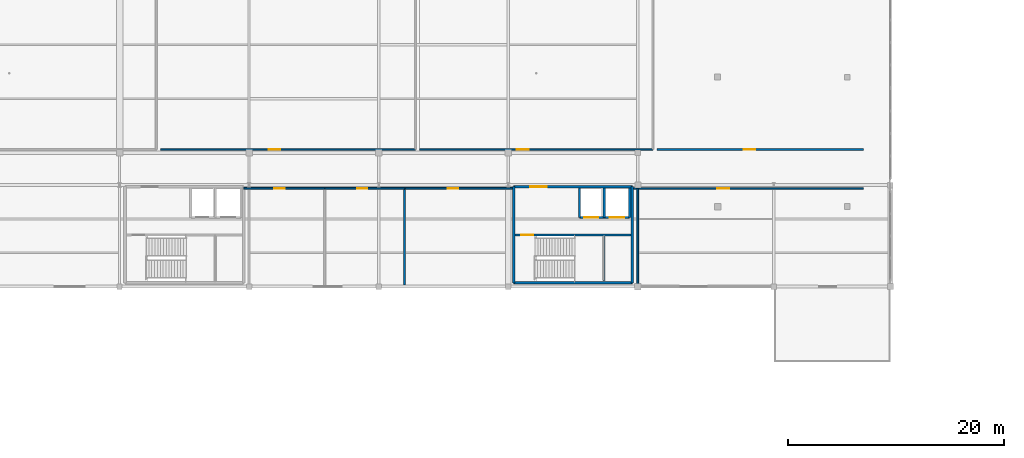
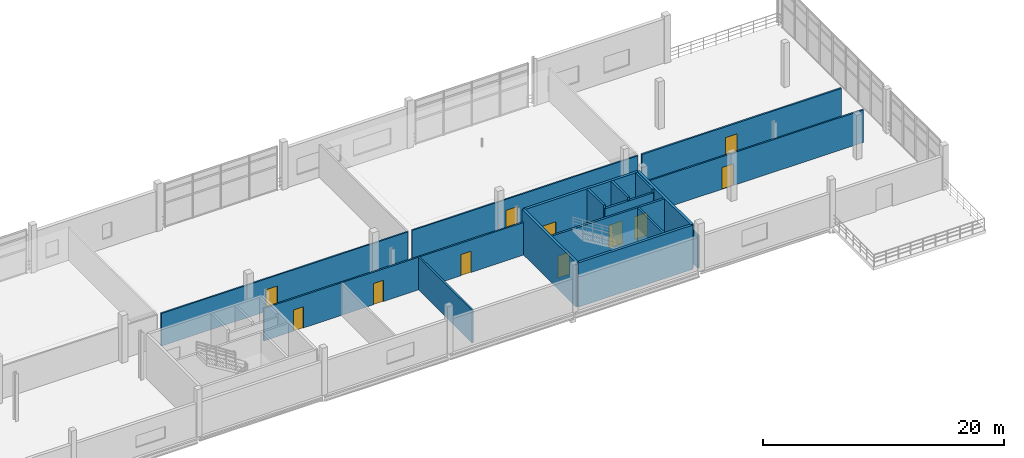
# One storey, part 39 of 52: 19 walls, 11 doors, 11 openings.
"""IFC4 building model written with IfcOpenShell, lengths in metres."""

from ifc_helpers import new_model, si_unit, direction, frame, frame_2d, origin, place, context, subcontext, project, spatial, rectangle, extrude, material, layer, layer_set, type_object, element, fill, save


model = new_model("IFC4")

# Units and contexts
model_context = context("Model", 3, precision=1e-05, world=origin(), true_north=direction((0.0, 1.0)))
body_context = subcontext(model_context, "Body", "Model", "MODEL_VIEW")
ifc_project = project(units=[si_unit("LENGTHUNIT", "METRE"), si_unit("AREAUNIT", "SQUARE_METRE"), si_unit("VOLUMEUNIT", "CUBIC_METRE"), si_unit("PLANEANGLEUNIT", "RADIAN"), si_unit("MASSUNIT", "GRAM", prefix="KILO"), si_unit("THERMODYNAMICTEMPERATUREUNIT", "KELVIN"), si_unit("POWERUNIT", "WATT")], contexts=[model_context])

# Site, building, storey
site_placement = place(None, origin())
site = spatial("IfcSite", under=ifc_project, at=site_placement, CompositionType="ELEMENT")
building_placement = place(site_placement, origin())
building = spatial("IfcBuilding", under=site, at=building_placement, Name="Solmara Park Aquatics Centre", CompositionType="ELEMENT")
storey_placement = place(building_placement, frame((0.0, 0.0, 9.60009765625)))
storey = spatial("IfcBuildingStorey", under=building, at=storey_placement, Name="L02", CompositionType="ELEMENT", Elevation=9.60009765625)

# Wall, opening, door
ifc_material_1 = material(Name="Double-Stud Acoustic Gypsum Partition", Category="gypsum")
ifc_layer_1 = layer(ifc_material_1, 0.139892578125, Name="Double-Stud Acoustic Gypsum Partition")
ifc_layer_set_1 = layer_set([ifc_layer_1], Name="Double-Stud Acoustic Gypsum Partition")
wall_type_1 = type_object("IfcWallType", Name="ARC-WL-ACU140", PredefinedType="PARTITIONING", material=ifc_layer_set_1)
wall_1_placement = place(storey_placement, frame((52.39990234375, 121.300048828125, 0.0), z_axis=(0.0, 0.0, 1.0), x_axis=(1.0, 0.0, 0.0)))
wall_1 = element("IfcWall", 1, at=wall_1_placement, inside=storey, type_object=wall_type_1, Name="Interior Partition IW-L02-0114 (L02-PHY-02)", PredefinedType="PARTITIONING", context=body_context, shape_type="SweptSolid", body=[
    extrude(rectangle(XDim=23.60009765625, YDim=0.139892578125, at=frame_2d((11.800048828125, 0.0))), origin(), (0.0, 0.0, 1.0), 3.2998046875),
])
opening_1_placement = place(wall_1_placement, frame((10.0, 0.0, 0.0)))
opening_1 = element("IfcOpeningElement", 2, at=opening_1_placement, cuts=wall_1, Name="Opening D-15", PredefinedType="OPENING", context=body_context, shape_type="SweptSolid", body=[
    extrude(rectangle(XDim=1.10009765625, YDim=2.199951171875, at=frame_2d((0.550048828125, 1.10009765625))), frame((0.0, 0.079833984375, 0.0), z_axis=(0.0, -1.0, 0.0), x_axis=(1.0, 0.0, 0.0)), (0.0, 0.0, 1.0), 0.159912109375),
])
ifc_material_2 = material(Name="Moisture-Resistant HPL & Hardwood", Category="wood")
door_type_1 = type_object("IfcDoorType", Name="ARC-DR-SGL110x220", OperationType="NOTDEFINED", PredefinedType="DOOR", material=ifc_material_2)
door_1_placement = place(opening_1_placement, origin())
door_1 = element("IfcDoor", 3, at=door_1_placement, inside=storey, type_object=door_type_1, Name="Orthopaedic Consultation and Ultrasound Diagnostics Clinic Door", OperationType="SINGLE_SWING_RIGHT", OverallHeight=2.199951171875, OverallWidth=1.10009765625, PredefinedType="DOOR", context=body_context, shape_type="SweptSolid", body=[
    extrude(rectangle(XDim=1.10009765625, YDim=2.199951171875, at=frame_2d((0.550048828125, 1.10009765625))), frame((0.0, 0.02490234375, 0.0), z_axis=(0.0, -1.0, 0.0), x_axis=(1.0, 0.0, 0.0)), (0.0, 0.0, 1.0), 0.050048828125),
])
fill(opening_1, door_1)

wall_2_placement = place(storey_placement, frame((76.39990234375, 121.300048828125, 0.0), z_axis=(0.0, 0.0, 1.0), x_axis=(1.0, 0.0, 0.0)))
wall_2 = element("IfcWall", 4, at=wall_2_placement, inside=storey, type_object=wall_type_1, Name="Interior Partition IW-L02-0116 (L02-BIO-01)", PredefinedType="PARTITIONING", context=body_context, shape_type="SweptSolid", body=[
    extrude(rectangle(XDim=21.60009765625, YDim=0.139892578125, at=frame_2d((10.800048828125, 0.0))), origin(), (0.0, 0.0, 1.0), 3.2998046875),
])
opening_2_placement = place(wall_2_placement, frame((9.0, 0.0, 0.0)))
opening_2 = element("IfcOpeningElement", 5, at=opening_2_placement, cuts=wall_2, Name="Opening D-15", PredefinedType="OPENING", context=body_context, shape_type="SweptSolid", body=[
    extrude(rectangle(XDim=1.10009765625, YDim=2.199951171875, at=frame_2d((0.550048828125, 1.10009765625))), frame((0.0, 0.079833984375, 0.0), z_axis=(0.0, -1.0, 0.0), x_axis=(1.0, 0.0, 0.0)), (0.0, 0.0, 1.0), 0.159912109375),
])
door_2_placement = place(opening_2_placement, origin())
door_2 = element("IfcDoor", 6, at=door_2_placement, inside=storey, type_object=door_type_1, Name="3D Swim Stroke Biomechanics and Motion-Capture Lab Door", OperationType="SINGLE_SWING_LEFT", OverallHeight=2.199951171875, OverallWidth=1.10009765625, PredefinedType="DOOR", context=body_context, shape_type="SweptSolid", body=[
    extrude(rectangle(XDim=1.10009765625, YDim=2.199951171875, at=frame_2d((0.550048828125, 1.10009765625))), frame((0.0, 0.02490234375, 0.0), z_axis=(0.0, -1.0, 0.0), x_axis=(1.0, 0.0, 0.0)), (0.0, 0.0, 1.0), 0.050048828125),
])
fill(opening_2, door_2)

# Wall
ifc_material_3 = material(Name="Concrete C40/50", Category="concrete")
ifc_layer_2 = layer(ifc_material_3, 0.25, Name="Concrete C40/50")
ifc_layer_set_2 = layer_set([ifc_layer_2], Name="Concrete C40/50")
wall_type_2 = type_object("IfcWallType", Name="ARC-WL-CORE250", PredefinedType="SHEAR", material=ifc_layer_set_2)
wall_3_placement = place(storey_placement, frame((85.10009765625, 108.949951171875, 0.0), z_axis=(0.0, 0.0, 1.0), x_axis=(1.0, 0.0, 0.0)))
element("IfcWall", 7, at=wall_3_placement, inside=storey, type_object=wall_type_2, Name="CORE-2 Core Wall S L02", PredefinedType="SHEAR", context=body_context, shape_type="SweptSolid", body=[
    extrude(rectangle(XDim=11.0, YDim=0.25, at=frame_2d((5.5, 0.0))), origin(), (0.0, 0.0, 1.0), 4.47998046875),
])

# Wall, opening, door
wall_4_placement = place(storey_placement, frame((85.10009765625, 117.85009765625, 0.0), z_axis=(0.0, 0.0, 1.0), x_axis=(1.0, 0.0, 0.0)))
wall_4 = element("IfcWall", 8, at=wall_4_placement, inside=storey, type_object=wall_type_2, Name="CORE-2 Core Wall N L02", PredefinedType="SHEAR", context=body_context, shape_type="SweptSolid", body=[
    extrude(rectangle(XDim=11.0, YDim=0.25, at=frame_2d((5.5, 0.0))), origin(), (0.0, 0.0, 1.0), 4.47998046875),
])
opening_3_placement = place(wall_4_placement, frame((1.550048828125, 0.0, 0.0)))
opening_3 = element("IfcOpeningElement", 9, at=opening_3_placement, cuts=wall_4, Name="Opening D-12", PredefinedType="OPENING", context=body_context, shape_type="SweptSolid", body=[
    extrude(rectangle(XDim=1.5, YDim=2.199951171875, at=frame_2d((0.75, 1.10009765625))), frame((0.0, 0.135009765625, 0.0), z_axis=(0.0, -1.0, 0.0), x_axis=(1.0, 0.0, 0.0)), (0.0, 0.0, 1.0), 0.27001953125),
])
door_type_2 = type_object("IfcDoorType", Name="ARC-DR-FD150x220", OperationType="DOUBLE_DOOR_SINGLE_SWING", PredefinedType="DOOR", material=ifc_material_2)
door_3_placement = place(opening_3_placement, origin())
door_3 = element("IfcDoor", 10, at=door_3_placement, inside=storey, type_object=door_type_2, Name="CORE-2 Lobby Entry Fire Door L02", OperationType="DOUBLE_DOOR_SINGLE_SWING", OverallHeight=2.199951171875, OverallWidth=1.5, PredefinedType="DOOR", context=body_context, shape_type="SweptSolid", body=[
    extrude(rectangle(XDim=1.5, YDim=2.199951171875, at=frame_2d((0.75, 1.10009765625))), frame((0.0, 0.02490234375, 0.0), z_axis=(0.0, -1.0, 0.0), x_axis=(1.0, 0.0, 0.0)), (0.0, 0.0, 1.0), 0.050048828125),
])
fill(opening_3, door_3)

# Walls
for number, where, z_axis, x_axis, name in (
    (11, (85.10009765625, 108.949951171875, 0.0), (0.0, 0.0, 1.0), (0.0, 1.0, 0.0), "CORE-2 Core Wall W L02"),
    (12, (96.10009765625, 108.949951171875, 0.0), (0.0, 0.0, 1.0), (0.0, 1.0, 0.0), "CORE-2 Core Wall E L02"),
):
    element("IfcWall", number, at=place(storey_placement, frame(where, z_axis=z_axis, x_axis=x_axis)), inside=storey, type_object=wall_type_2, Name=name, PredefinedType="SHEAR", context=body_context, shape_type="SweptSolid", body=[
        extrude(rectangle(XDim=8.900146484375, YDim=0.25, at=frame_2d((4.4501953125, 0.0))), origin(), (0.0, 0.0, 1.0), 4.47998046875),
    ])

# Wall, openings, doors
ifc_material_4 = material(Name="Concrete C25/30 Autoclaved Aerated Fire Blockwork", Category="masonry")
ifc_layer_3 = layer(ifc_material_4, 0.199951171875, Name="Concrete C25/30 Autoclaved Aerated Fire Blockwork")
ifc_layer_set_3 = layer_set([ifc_layer_3], Name="Concrete C25/30 Autoclaved Aerated Fire Blockwork")
wall_type_3 = type_object("IfcWallType", Name="ARC-WL-FIRE200", PredefinedType="SOLIDWALL", material=ifc_layer_set_3)
wall_5_placement = place(storey_placement, frame((91.199951171875, 115.0, 0.0), z_axis=(0.0, 0.0, 1.0), x_axis=(1.0, 0.0, 0.0)))
wall_5 = element("IfcWall", 13, at=wall_5_placement, inside=storey, type_object=wall_type_3, Name="CORE-2 Lift Shaft Front Wall L02", PredefinedType="SOLIDWALL", context=body_context, shape_type="SweptSolid", body=[
    extrude(rectangle(XDim=4.650146484375, YDim=0.199951171875, at=frame_2d((2.3251953125, 0.0))), origin(), (0.0, 0.0, 1.0), 4.14990234375),
])
opening_4_placement = place(wall_5_placement, frame((2.824951171875, 0.0, 0.0)))
opening_4 = element("IfcOpeningElement", 14, at=opening_4_placement, cuts=wall_5, Name="Opening D-10", PredefinedType="OPENING", context=body_context, shape_type="SweptSolid", body=[
    extrude(rectangle(XDim=1.300048828125, YDim=2.300048828125, at=frame_2d((0.64990234375, 1.14990234375))), frame((0.0, 0.10986328125, 0.0), z_axis=(0.0, -1.0, 0.0), x_axis=(1.0, 0.0, 0.0)), (0.0, 0.0, 1.0), 0.219970703125),
])
opening_5_placement = place(wall_5_placement, frame((0.425048828125, 0.0, 0.0)))
opening_5 = element("IfcOpeningElement", 15, at=opening_5_placement, cuts=wall_5, Name="Opening D-10", PredefinedType="OPENING", context=body_context, shape_type="SweptSolid", body=[
    extrude(rectangle(XDim=1.300048828125, YDim=2.300048828125, at=frame_2d((0.64990234375, 1.14990234375))), frame((0.0, 0.10986328125, 0.0), z_axis=(0.0, -1.0, 0.0), x_axis=(1.0, 0.0, 0.0)), (0.0, 0.0, 1.0), 0.219970703125),
])
ifc_material_5 = material(Name="Stainless Steel", Category="steel")
door_type_3 = type_object("IfcDoorType", Name="ARC-DR-LD130x230", OperationType="DOUBLE_DOOR_SLIDING", PredefinedType="DOOR", material=ifc_material_5)
door_4_placement = place(opening_4_placement, frame((1.300048828125, 0.0, 0.0), z_axis=(0.0, 0.0, 1.0), x_axis=(-1.0, 0.0, 0.0)))
door_4 = element("IfcDoor", 16, at=door_4_placement, inside=storey, type_object=door_type_3, Name="LF-03 Lift Landing Door L02", OperationType="DOUBLE_DOOR_SLIDING", OverallHeight=2.300048828125, OverallWidth=1.300048828125, PredefinedType="DOOR", context=body_context, shape_type="SweptSolid", body=[
    extrude(rectangle(XDim=1.300048828125, YDim=2.300048828125, at=frame_2d((0.64990234375, 1.14990234375))), frame((0.0, 0.02490234375, 0.0), z_axis=(0.0, -1.0, 0.0), x_axis=(1.0, 0.0, 0.0)), (0.0, 0.0, 1.0), 0.050048828125),
])
fill(opening_4, door_4)
door_5_placement = place(opening_5_placement, frame((1.300048828125, 0.0, 0.0), z_axis=(0.0, 0.0, 1.0), x_axis=(-1.0, 0.0, 0.0)))
door_5 = element("IfcDoor", 17, at=door_5_placement, inside=storey, type_object=door_type_3, Name="LF-04 Lift Landing Door L02", OperationType="DOUBLE_DOOR_SLIDING", OverallHeight=2.300048828125, OverallWidth=1.300048828125, PredefinedType="DOOR", context=body_context, shape_type="SweptSolid", body=[
    extrude(rectangle(XDim=1.300048828125, YDim=2.300048828125, at=frame_2d((0.64990234375, 1.14990234375))), frame((0.0, 0.02490234375, 0.0), z_axis=(0.0, -1.0, 0.0), x_axis=(1.0, 0.0, 0.0)), (0.0, 0.0, 1.0), 0.050048828125),
])
fill(opening_5, door_5)

# Walls
for number, where, z_axis, x_axis, name in (
    (18, (93.5, 115.0, 0.0), (0.0, 0.0, 1.0), (0.0, 1.0, 0.0), "LF-03 Lift Shaft W Wall L02"),
    (19, (95.85009765625, 115.0, 0.0), (0.0, 0.0, 1.0), (0.0, 1.0, 0.0), "LF-03 Lift Shaft E Wall L02"),
    (20, (91.199951171875, 115.0, 0.0), (0.0, 0.0, 1.0), (0.0, 1.0, 0.0), "LF-04 Lift Shaft W Wall L02"),
):
    element("IfcWall", number, at=place(storey_placement, frame(where, z_axis=z_axis, x_axis=x_axis)), inside=storey, type_object=wall_type_3, Name=name, PredefinedType="SOLIDWALL", context=body_context, shape_type="SweptSolid", body=[
        extrude(rectangle(XDim=2.75, YDim=0.199951171875, at=frame_2d((1.375, 0.0))), origin(), (0.0, 0.0, 1.0), 4.47998046875),
    ])
ifc_material_6 = material(Name="Cement-Rendered Masonry Partition", Category="masonry")
ifc_layer_4 = layer(ifc_material_6, 0.14990234375, Name="Cement-Rendered Masonry Partition")
ifc_layer_set_4 = layer_set([ifc_layer_4], Name="Cement-Rendered Masonry Partition")
wall_type_4 = type_object("IfcWallType", Name="ARC-WL-MAS150", PredefinedType="PARTITIONING", material=ifc_layer_set_4)
wall_6_placement = place(storey_placement, frame((96.60009765625, 108.75, 0.0), z_axis=(0.0, 0.0, 1.0), x_axis=(0.0, 1.0, 0.0)))
element("IfcWall", 21, at=wall_6_placement, inside=storey, type_object=wall_type_4, Name="Interior Partition IW-L02-0125 (L02-MED-STR)", PredefinedType="PARTITIONING", context=body_context, shape_type="SweptSolid", body=[
    extrude(rectangle(XDim=8.949951171875, YDim=0.14990234375, at=frame_2d((4.47509765625, 0.0))), origin(), (0.0, 0.0, 1.0), 3.2998046875),
])

# Wall, opening, door
wall_7_placement = place(storey_placement, frame((96.110107421875, 117.699951171875, 0.0), z_axis=(0.0, 0.0, 1.0), x_axis=(1.0, 0.0, 0.0)))
wall_7 = element("IfcWall", 22, at=wall_7_placement, inside=storey, type_object=wall_type_4, Name="Interior Partition IW-L02-0126 (L02-MED-STR)", PredefinedType="PARTITIONING", context=body_context, shape_type="SweptSolid", body=[
    extrude(rectangle(XDim=21.389892578125, YDim=0.14990234375, at=frame_2d((10.69482421875, 0.0))), origin(), (0.0, 0.0, 1.0), 3.2998046875),
])
opening_6_placement = place(wall_7_placement, frame((7.840087890625, 0.0, 0.0)))
opening_6 = element("IfcOpeningElement", 23, at=opening_6_placement, cuts=wall_7, Name="Opening D-15", PredefinedType="OPENING", context=body_context, shape_type="SweptSolid", body=[
    extrude(rectangle(XDim=1.10009765625, YDim=2.199951171875, at=frame_2d((0.550048828125, 1.10009765625))), frame((0.0, 0.0849609375, 0.0), z_axis=(0.0, -1.0, 0.0), x_axis=(1.0, 0.0, 0.0)), (0.0, 0.0, 1.0), 0.169921875),
])
door_6_placement = place(opening_6_placement, origin())
door_6 = element("IfcDoor", 24, at=door_6_placement, inside=storey, type_object=door_type_1, Name="Cryotherapy Chamber and Rehabilitation Hydro-Pool Door", OperationType="SINGLE_SWING_RIGHT", OverallHeight=2.199951171875, OverallWidth=1.10009765625, PredefinedType="DOOR", context=body_context, shape_type="SweptSolid", body=[
    extrude(rectangle(XDim=1.10009765625, YDim=2.199951171875, at=frame_2d((0.550048828125, 1.10009765625))), frame((0.0, 0.02490234375, 0.0), z_axis=(0.0, -1.0, 0.0), x_axis=(1.0, 0.0, 0.0)), (0.0, 0.0, 1.0), 0.050048828125),
])
fill(opening_6, door_6)

ifc_material_7 = material(Name="Waterproof Tile-Faced Wet-Area Plumbing Wall", Category="concrete")
ifc_layer_5 = layer(ifc_material_7, 0.159912109375, Name="Waterproof Tile-Faced Wet-Area Plumbing Wall")
ifc_layer_set_5 = layer_set([ifc_layer_5], Name="Waterproof Tile-Faced Wet-Area Plumbing Wall")
wall_type_5 = type_object("IfcWallType", Name="ARC-WL-WET160", PredefinedType="PLUMBINGWALL", material=ifc_layer_set_5)
wall_8_placement = place(storey_placement, frame((98.39990234375, 121.300048828125, 0.0), z_axis=(0.0, 0.0, 1.0), x_axis=(1.0, 0.0, 0.0)))
wall_8 = element("IfcWall", 25, at=wall_8_placement, inside=storey, type_object=wall_type_5, Name="Interior Partition IW-L02-0118 (L02-NUT-01)", PredefinedType="PLUMBINGWALL", context=body_context, shape_type="SweptSolid", body=[
    extrude(rectangle(XDim=19.10009765625, YDim=0.159912109375, at=frame_2d((9.550048828125, 0.0))), origin(), (0.0, 0.0, 1.0), 3.2998046875),
])
opening_7_placement = place(wall_8_placement, frame((8.0, 0.0, 0.0)))
opening_7 = element("IfcOpeningElement", 26, at=opening_7_placement, cuts=wall_8, Name="Opening D-15", PredefinedType="OPENING", context=body_context, shape_type="SweptSolid", body=[
    extrude(rectangle(XDim=1.10009765625, YDim=2.199951171875, at=frame_2d((0.550048828125, 1.10009765625))), frame((0.0, 0.08984375, 0.0), z_axis=(0.0, -1.0, 0.0), x_axis=(1.0, 0.0, 0.0)), (0.0, 0.0, 1.0), 0.179931640625),
])
door_7_placement = place(opening_7_placement, origin())
door_7 = element("IfcDoor", 27, at=door_7_placement, inside=storey, type_object=door_type_1, Name="Athlete Sports Nutrition Kitchen and Recovery Lounge Door", OperationType="SINGLE_SWING_RIGHT", OverallHeight=2.199951171875, OverallWidth=1.10009765625, PredefinedType="DOOR", context=body_context, shape_type="SweptSolid", body=[
    extrude(rectangle(XDim=1.10009765625, YDim=2.199951171875, at=frame_2d((0.550048828125, 1.10009765625))), frame((0.0, 0.02490234375, 0.0), z_axis=(0.0, -1.0, 0.0), x_axis=(1.0, 0.0, 0.0)), (0.0, 0.0, 1.0), 0.050048828125),
])
fill(opening_7, door_7)

wall_9_placement = place(storey_placement, frame((60.110107421875, 117.699951171875, 0.0), z_axis=(0.0, 0.0, 1.0), x_axis=(1.0, 0.0, 0.0)))
wall_9 = element("IfcWall", 28, at=wall_9_placement, inside=storey, type_object=wall_type_5, Name="Interior Partition IW-L02-0121 (L02-WCM-01)", PredefinedType="PLUMBINGWALL", context=body_context, shape_type="SweptSolid", body=[
    extrude(rectangle(XDim=7.489990234375, YDim=0.159912109375, at=frame_2d((3.7451171875, 0.0))), origin(), (0.0, 0.0, 1.0), 3.2998046875),
])
opening_8_placement = place(wall_9_placement, frame((2.840087890625, 0.0, 0.0)))
opening_8 = element("IfcOpeningElement", 29, at=opening_8_placement, cuts=wall_9, Name="Opening D-18", PredefinedType="OPENING", context=body_context, shape_type="SweptSolid", body=[
    extrude(rectangle(XDim=0.949951171875, YDim=2.14990234375, at=frame_2d((0.47509765625, 1.074951171875))), frame((0.0, 0.08984375, 0.0), z_axis=(0.0, -1.0, 0.0), x_axis=(1.0, 0.0, 0.0)), (0.0, 0.0, 1.0), 0.179931640625),
])
door_type_4 = type_object("IfcDoorType", Name="ARC-DR-WC95x220", OperationType="NOTDEFINED", PredefinedType="DOOR", material=ifc_material_2)
door_8_placement = place(opening_8_placement, origin())
door_8 = element("IfcDoor", 30, at=door_8_placement, inside=storey, type_object=door_type_4, Name="Clinic Male Toilet Door", OperationType="SINGLE_SWING_LEFT", OverallHeight=2.14990234375, OverallWidth=0.949951171875, PredefinedType="DOOR", context=body_context, shape_type="SweptSolid", body=[
    extrude(rectangle(XDim=0.949951171875, YDim=2.14990234375, at=frame_2d((0.47509765625, 1.074951171875))), frame((0.0, 0.02490234375, 0.0), z_axis=(0.0, -1.0, 0.0), x_axis=(1.0, 0.0, 0.0)), (0.0, 0.0, 1.0), 0.050048828125),
])
fill(opening_8, door_8)

# Wall
wall_10_placement = place(storey_placement, frame((75.0, 108.75, 0.0), z_axis=(0.0, 0.0, 1.0), x_axis=(0.0, 1.0, 0.0)))
element("IfcWall", 31, at=wall_10_placement, inside=storey, type_object=wall_type_5, Name="Interior Partition IW-L02-0122 (L02-WCF-01)", PredefinedType="PLUMBINGWALL", context=body_context, shape_type="SweptSolid", body=[
    extrude(rectangle(XDim=8.949951171875, YDim=0.159912109375, at=frame_2d((4.47509765625, 0.0))), origin(), (0.0, 0.0, 1.0), 3.2998046875),
])

# Wall, opening, door
wall_11_placement = place(storey_placement, frame((67.610107421875, 117.699951171875, 0.0), z_axis=(0.0, 0.0, 1.0), x_axis=(1.0, 0.0, 0.0)))
wall_11 = element("IfcWall", 32, at=wall_11_placement, inside=storey, type_object=wall_type_5, Name="Interior Partition IW-L02-0123 (L02-WCF-01)", PredefinedType="PLUMBINGWALL", context=body_context, shape_type="SweptSolid", body=[
    extrude(rectangle(XDim=7.389892578125, YDim=0.159912109375, at=frame_2d((3.69482421875, 0.0))), origin(), (0.0, 0.0, 1.0), 3.2998046875),
])
opening_9_placement = place(wall_11_placement, frame((2.989990234375, 0.0, 0.0)))
opening_9 = element("IfcOpeningElement", 33, at=opening_9_placement, cuts=wall_11, Name="Opening D-18", PredefinedType="OPENING", context=body_context, shape_type="SweptSolid", body=[
    extrude(rectangle(XDim=0.949951171875, YDim=2.14990234375, at=frame_2d((0.47509765625, 1.074951171875))), frame((0.0, 0.08984375, 0.0), z_axis=(0.0, -1.0, 0.0), x_axis=(1.0, 0.0, 0.0)), (0.0, 0.0, 1.0), 0.179931640625),
])
door_9_placement = place(opening_9_placement, origin())
door_9 = element("IfcDoor", 34, at=door_9_placement, inside=storey, type_object=door_type_4, Name="Clinic Female Toilet Door", OperationType="SINGLE_SWING_RIGHT", OverallHeight=2.14990234375, OverallWidth=0.949951171875, PredefinedType="DOOR", context=body_context, shape_type="SweptSolid", body=[
    extrude(rectangle(XDim=0.949951171875, YDim=2.14990234375, at=frame_2d((0.47509765625, 1.074951171875))), frame((0.0, 0.02490234375, 0.0), z_axis=(0.0, -1.0, 0.0), x_axis=(1.0, 0.0, 0.0)), (0.0, 0.0, 1.0), 0.050048828125),
])
fill(opening_9, door_9)

wall_12_placement = place(storey_placement, frame((75.010009765625, 117.699951171875, 0.0), z_axis=(0.0, 0.0, 1.0), x_axis=(1.0, 0.0, 0.0)))
wall_12 = element("IfcWall", 35, at=wall_12_placement, inside=storey, type_object=wall_type_5, Name="Interior Partition IW-L02-0124 (L02-WCA-01)", PredefinedType="PLUMBINGWALL", context=body_context, shape_type="SweptSolid", body=[
    extrude(rectangle(XDim=9.965087890625, YDim=0.159912109375, at=frame_2d((4.982421875, 0.0))), origin(), (0.0, 0.0, 1.0), 3.2998046875),
])
opening_10_placement = place(wall_12_placement, frame((3.989990234375, 0.0, 0.0)))
opening_10 = element("IfcOpeningElement", 36, at=opening_10_placement, cuts=wall_12, Name="Opening D-18", PredefinedType="OPENING", context=body_context, shape_type="SweptSolid", body=[
    extrude(rectangle(XDim=0.949951171875, YDim=2.14990234375, at=frame_2d((0.47509765625, 1.074951171875))), frame((0.0, 0.08984375, 0.0), z_axis=(0.0, -1.0, 0.0), x_axis=(1.0, 0.0, 0.0)), (0.0, 0.0, 1.0), 0.179931640625),
])
door_10_placement = place(opening_10_placement, origin())
door_10 = element("IfcDoor", 37, at=door_10_placement, inside=storey, type_object=door_type_4, Name="Clinic Accessible Patient WC Door", OperationType="SINGLE_SWING_LEFT", OverallHeight=2.14990234375, OverallWidth=0.949951171875, PredefinedType="DOOR", context=body_context, shape_type="SweptSolid", body=[
    extrude(rectangle(XDim=0.949951171875, YDim=2.14990234375, at=frame_2d((0.47509765625, 1.074951171875))), frame((0.0, 0.02490234375, 0.0), z_axis=(0.0, -1.0, 0.0), x_axis=(1.0, 0.0, 0.0)), (0.0, 0.0, 1.0), 0.050048828125),
])
fill(opening_10, door_10)

ifc_material_8 = material(Name="Concrete C35/45", Category="concrete")
ifc_layer_6 = layer(ifc_material_8, 0.199951171875, Name="Concrete C35/45")
ifc_layer_set_6 = layer_set([ifc_layer_6], Name="Concrete C35/45")
wall_type_6 = type_object("IfcWallType", Name="STR-WL-STAIR200", PredefinedType="SHEAR", material=ifc_layer_set_6)
wall_13_placement = place(storey_placement, frame((85.219970703125, 113.375, 0.0), z_axis=(0.0, 0.0, 1.0), x_axis=(1.0, 0.0, 0.0)))
wall_13 = element("IfcWall", 38, at=wall_13_placement, inside=storey, type_object=wall_type_6, Name="CORE-2 Stairwell Compartment Wall L02", PredefinedType="SHEAR", context=body_context, shape_type="SweptSolid", body=[
    extrude(rectangle(XDim=10.760009765625, YDim=0.199951171875, at=frame_2d((5.3798828125, 0.0))), origin(), (0.0, 0.0, 1.0), 4.47998046875),
])
opening_11_placement = place(wall_13_placement, frame((0.580078125, 0.0, 0.0)))
opening_11 = element("IfcOpeningElement", 39, at=opening_11_placement, cuts=wall_13, Name="Opening D-11", PredefinedType="OPENING", context=body_context, shape_type="SweptSolid", body=[
    extrude(rectangle(XDim=1.10009765625, YDim=2.199951171875, at=frame_2d((0.550048828125, 1.10009765625))), frame((0.0, 0.10986328125, 0.0), z_axis=(0.0, -1.0, 0.0), x_axis=(1.0, 0.0, 0.0)), (0.0, 0.0, 1.0), 0.219970703125),
])
door_type_5 = type_object("IfcDoorType", Name="ARC-DR-FD110x220", OperationType="NOTDEFINED", PredefinedType="DOOR", material=ifc_material_2)
door_11_placement = place(opening_11_placement, origin())
door_11 = element("IfcDoor", 40, at=door_11_placement, inside=storey, type_object=door_type_5, Name="ST-02 Fire Door L02", OperationType="SINGLE_SWING_RIGHT", OverallHeight=2.199951171875, OverallWidth=1.10009765625, PredefinedType="DOOR", context=body_context, shape_type="SweptSolid", body=[
    extrude(rectangle(XDim=1.10009765625, YDim=2.199951171875, at=frame_2d((0.550048828125, 1.10009765625))), frame((0.0, 0.02490234375, 0.0), z_axis=(0.0, -1.0, 0.0), x_axis=(1.0, 0.0, 0.0)), (0.0, 0.0, 1.0), 0.050048828125),
])
fill(opening_11, door_11)

# Wall
wall_14_placement = place(storey_placement, frame((93.4599609375, 109.070068359375, 0.0), z_axis=(0.0, 0.0, 1.0), x_axis=(0.0, 1.0, 0.0)))
element("IfcWall", 41, at=wall_14_placement, inside=storey, type_object=wall_type_6, Name="CORE-2 Stairwell East End Wall L02", PredefinedType="SHEAR", context=body_context, shape_type="SweptSolid", body=[
    extrude(rectangle(XDim=4.204833984375, YDim=0.199951171875, at=frame_2d((2.1025390625, 0.0))), origin(), (0.0, 0.0, 1.0), 4.47998046875),
])

save(model, "model.ifc")
